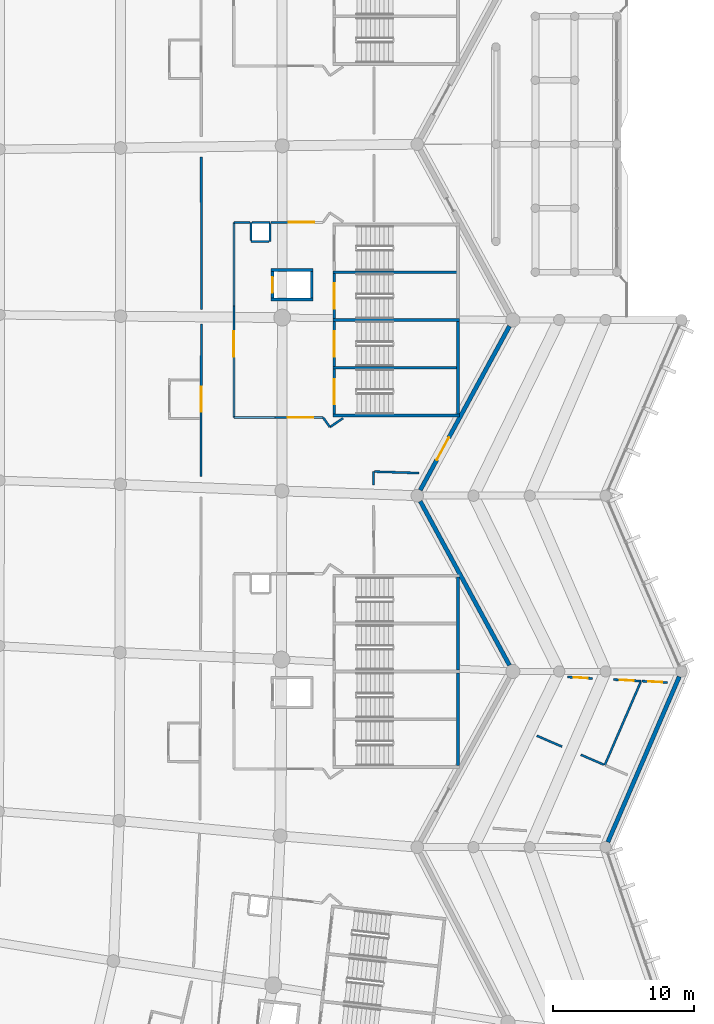
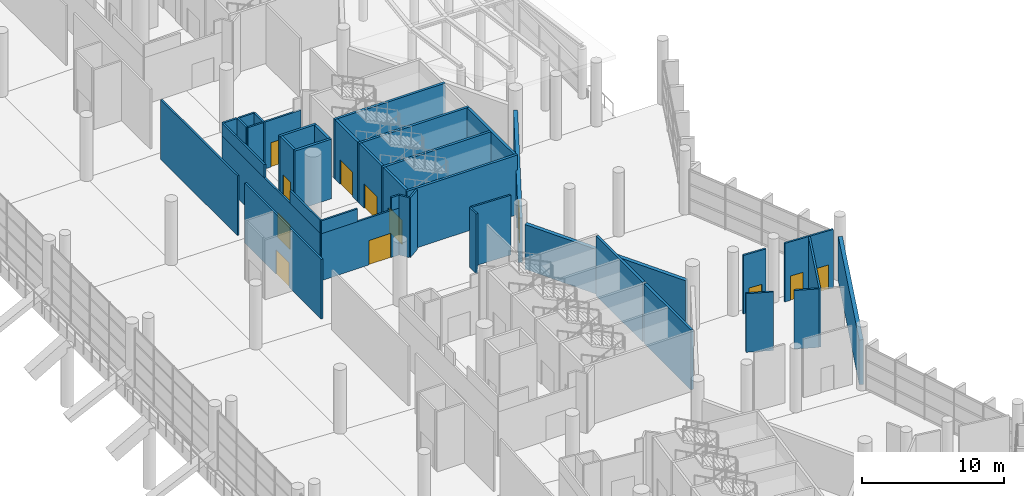
# One storey, part 178 of 271: 41 walls, 12 doors, 12 openings.
"""IFC4 building model written with IfcOpenShell, lengths in metres."""

from ifc_helpers import new_model, si_unit, direction, frame, frame_2d, origin, place, context, subcontext, project, spatial, rectangle, extrude, material, layer, layer_set, type_object, element, fill, save


model = new_model("IFC4")

# Units and contexts
model_context = context("Model", 3, precision=1e-05, world=origin(), true_north=direction((0.0, 1.0)))
body_context = subcontext(model_context, "Body", "Model", "MODEL_VIEW")
ifc_project = project(units=[si_unit("LENGTHUNIT", "METRE"), si_unit("AREAUNIT", "SQUARE_METRE"), si_unit("VOLUMEUNIT", "CUBIC_METRE"), si_unit("PLANEANGLEUNIT", "RADIAN"), si_unit("MASSUNIT", "GRAM", prefix="KILO")], contexts=[model_context])

# Site, building, storey
site_placement = place(None, origin())
site = spatial("IfcSite", under=ifc_project, at=site_placement, CompositionType="ELEMENT")
building_placement = place(site_placement, origin())
building = spatial("IfcBuilding", under=site, at=building_placement, Name="Meseta Stadium", CompositionType="ELEMENT")
storey_placement = place(building_placement, frame((0.0, 0.0, 6.5)))
storey = spatial("IfcBuildingStorey", under=building, at=storey_placement, Name="L01", CompositionType="ELEMENT", Elevation=6.5)

# Walls
ifc_material_1 = material(Name="Concrete C40/50", Category="concrete")
ifc_layer_1 = layer(ifc_material_1, 0.199951171875)
ifc_layer_set_1 = layer_set([ifc_layer_1], Name="Core divider wall 200")
wall_type_1 = type_object("IfcWallType", Name="Core divider wall 200", PredefinedType="SHEAR", material=ifc_layer_set_1)
for number, where, z_axis, x_axis, name in (
    (1, (97.60009765625, -9.64990234375, 0.0), (0.0, 0.0, 1.0), (-1.0, 0.0, 0.0), "Core 03 L01 stair A divider wall"),
    (2, (97.60009765625, -2.85009765625, 0.0), (0.0, 0.0, 1.0), (-1.0, 0.0, 0.0), "Core 03 L01 stair B divider wall"),
):
    element("IfcWall", number, at=place(storey_placement, frame(where, z_axis=z_axis, x_axis=x_axis)), inside=storey, type_object=wall_type_1, Name=name, PredefinedType="SHEAR", context=body_context, shape_type="SweptSolid", body=[
        extrude(rectangle(XDim=9.0, YDim=0.199951171875, at=frame_2d((4.5, 0.0))), origin(), (0.0, 0.0, 1.0), 5.14990234375),
    ])
ifc_material_2 = material(Name="Concrete C40/50", Category="concrete")
ifc_layer_2 = layer(ifc_material_2, 0.199951171875)
ifc_layer_set_2 = layer_set([ifc_layer_2], Name="Core shaft wall 200")
wall_type_2 = type_object("IfcWallType", Name="Core shaft wall 200", PredefinedType="SHEAR", material=ifc_layer_set_2)
for number, where, z_axis, x_axis, name in (
    (3, (97.5, -37.949951171875, 0.0), (0.0, 0.0, 1.0), (0.0, 1.0, 0.0), "Core 02 L01 stair A outer end wall"),
    (4, (97.5, -31.14990234375, 0.0), (0.0, 0.0, 1.0), (0.0, 1.0, 0.0), "Core 02 L01 stair B outer end wall"),
):
    element("IfcWall", number, at=place(storey_placement, frame(where, z_axis=z_axis, x_axis=x_axis)), inside=storey, type_object=wall_type_2, Name=name, PredefinedType="SHEAR", context=body_context, shape_type="SweptSolid", body=[
        extrude(rectangle(XDim=6.599853515625, YDim=0.199951171875, at=frame_2d((3.2998046875, 0.0))), origin(), (0.0, 0.0, 1.0), 5.14990234375),
    ])
for number, where, z_axis, x_axis, name in (
    (5, (97.60009765625, -13.050048828125, 0.0), (0.0, 0.0, 1.0), (-1.0, 0.0, 0.0), "Core 03 L01 stair wall A-side"),
    (6, (97.60009765625, -6.25, 0.0), (0.0, 0.0, 1.0), (-1.0, 0.0, 0.0), "Core 03 L01 stair wall shared"),
):
    element("IfcWall", number, at=place(storey_placement, frame(where, z_axis=z_axis, x_axis=x_axis)), inside=storey, type_object=wall_type_2, Name=name, PredefinedType="SHEAR", context=body_context, shape_type="SweptSolid", body=[
        extrude(rectangle(XDim=9.0, YDim=0.199951171875, at=frame_2d((4.5, 0.0))), origin(), (0.0, 0.0, 1.0), 5.14990234375),
    ])
wall_1_placement = place(storey_placement, frame((97.5, -12.949951171875, 0.0), z_axis=(0.0, 0.0, 1.0), x_axis=(0.0, 1.0, 0.0)))
element("IfcWall", 7, at=wall_1_placement, inside=storey, type_object=wall_type_2, Name="Core 03 L01 stair A outer end wall", PredefinedType="SHEAR", context=body_context, shape_type="SweptSolid", body=[
    extrude(rectangle(XDim=6.599853515625, YDim=0.199951171875, at=frame_2d((3.2998046875, 0.0))), origin(), (0.0, 0.0, 1.0), 5.14990234375),
])

# Wall, opening, door
wall_2_placement = place(storey_placement, frame((88.699951171875, -12.949951171875, 0.0), z_axis=(0.0, 0.0, 1.0), x_axis=(0.0, 1.0, 0.0)))
wall_2 = element("IfcWall", 8, at=wall_2_placement, inside=storey, type_object=wall_type_2, Name="Core 03 L01 stair A1 inner end wall", PredefinedType="SHEAR", context=body_context, shape_type="SweptSolid", body=[
    extrude(rectangle(XDim=3.199951171875, YDim=0.199951171875, at=frame_2d((1.60009765625, 0.0))), origin(), (0.0, 0.0, 1.0), 5.14990234375),
])
opening_1_placement = place(wall_2_placement, frame((0.699951171875, 0.0, 0.0)))
opening_1 = element("IfcOpeningElement", 9, at=opening_1_placement, cuts=wall_2, Name="Opening D063", PredefinedType="OPENING", context=body_context, shape_type="SweptSolid", body=[
    extrude(rectangle(XDim=1.800048828125, YDim=2.10009765625, at=frame_2d((0.89990234375, 1.050048828125))), frame((0.0, 0.10986328125, 0.0), z_axis=(0.0, -1.0, 0.0), x_axis=(1.0, 0.0, 0.0)), (0.0, 0.0, 1.0), 0.219970703125),
])
ifc_material_3 = material(Name="Steel", Category="steel")
door_type_1 = type_object("IfcDoorType", Name="Stair door 1800x2100", OperationType="DOUBLE_DOOR_SINGLE_SWING", PredefinedType="DOOR", material=ifc_material_3)
door_1_placement = place(opening_1_placement, origin())
door_1 = element("IfcDoor", 10, at=door_1_placement, inside=storey, type_object=door_type_1, Name="Stair A1 door 03 L01", OperationType="DOUBLE_DOOR_SINGLE_SWING", OverallHeight=2.10009765625, OverallWidth=1.800048828125, PredefinedType="DOOR", context=body_context, shape_type="SweptSolid", body=[
    extrude(rectangle(XDim=1.800048828125, YDim=2.10009765625, at=frame_2d((0.89990234375, 1.050048828125))), frame((0.0, 0.02490234375, 0.0), z_axis=(0.0, -1.0, 0.0), x_axis=(1.0, 0.0, 0.0)), (0.0, 0.0, 1.0), 0.050048828125),
])
fill(opening_1, door_1)

wall_3_placement = place(storey_placement, frame((88.699951171875, -9.550048828125, 0.0), z_axis=(0.0, 0.0, 1.0), x_axis=(0.0, 1.0, 0.0)))
wall_3 = element("IfcWall", 11, at=wall_3_placement, inside=storey, type_object=wall_type_2, Name="Core 03 L01 stair A2 inner end wall", PredefinedType="SHEAR", context=body_context, shape_type="SweptSolid", body=[
    extrude(rectangle(XDim=3.199951171875, YDim=0.199951171875, at=frame_2d((1.60009765625, 0.0))), origin(), (0.0, 0.0, 1.0), 5.14990234375),
])
opening_2_placement = place(wall_3_placement, frame((0.699951171875, 0.0, 0.0)))
opening_2 = element("IfcOpeningElement", 12, at=opening_2_placement, cuts=wall_3, Name="Opening D064", PredefinedType="OPENING", context=body_context, shape_type="SweptSolid", body=[
    extrude(rectangle(XDim=1.800048828125, YDim=2.10009765625, at=frame_2d((0.89990234375, 1.050048828125))), frame((0.0, 0.10986328125, 0.0), z_axis=(0.0, -1.0, 0.0), x_axis=(1.0, 0.0, 0.0)), (0.0, 0.0, 1.0), 0.219970703125),
])
door_2_placement = place(opening_2_placement, origin())
door_2 = element("IfcDoor", 13, at=door_2_placement, inside=storey, type_object=door_type_1, Name="Stair A2 door 03 L01", OperationType="DOUBLE_DOOR_SINGLE_SWING", OverallHeight=2.10009765625, OverallWidth=1.800048828125, PredefinedType="DOOR", context=body_context, shape_type="SweptSolid", body=[
    extrude(rectangle(XDim=1.800048828125, YDim=2.10009765625, at=frame_2d((0.89990234375, 1.050048828125))), frame((0.0, 0.02490234375, 0.0), z_axis=(0.0, -1.0, 0.0), x_axis=(1.0, 0.0, 0.0)), (0.0, 0.0, 1.0), 0.050048828125),
])
fill(opening_2, door_2)

wall_4_placement = place(storey_placement, frame((88.699951171875, -6.14990234375, 0.0), z_axis=(0.0, 0.0, 1.0), x_axis=(0.0, 1.0, 0.0)))
wall_4 = element("IfcWall", 14, at=wall_4_placement, inside=storey, type_object=wall_type_2, Name="Core 03 L01 stair B1 inner end wall", PredefinedType="SHEAR", context=body_context, shape_type="SweptSolid", body=[
    extrude(rectangle(XDim=3.199951171875, YDim=0.199951171875, at=frame_2d((1.60009765625, 0.0))), origin(), (0.0, 0.0, 1.0), 5.14990234375),
])
opening_3_placement = place(wall_4_placement, frame((0.699951171875, 0.0, 0.0)))
opening_3 = element("IfcOpeningElement", 15, at=opening_3_placement, cuts=wall_4, Name="Opening D065", PredefinedType="OPENING", context=body_context, shape_type="SweptSolid", body=[
    extrude(rectangle(XDim=1.800048828125, YDim=2.10009765625, at=frame_2d((0.89990234375, 1.050048828125))), frame((0.0, 0.10986328125, 0.0), z_axis=(0.0, -1.0, 0.0), x_axis=(1.0, 0.0, 0.0)), (0.0, 0.0, 1.0), 0.219970703125),
])
door_3_placement = place(opening_3_placement, origin())
door_3 = element("IfcDoor", 16, at=door_3_placement, inside=storey, type_object=door_type_1, Name="Stair B1 door 03 L01", OperationType="DOUBLE_DOOR_SINGLE_SWING", OverallHeight=2.10009765625, OverallWidth=1.800048828125, PredefinedType="DOOR", context=body_context, shape_type="SweptSolid", body=[
    extrude(rectangle(XDim=1.800048828125, YDim=2.10009765625, at=frame_2d((0.89990234375, 1.050048828125))), frame((0.0, 0.02490234375, 0.0), z_axis=(0.0, -1.0, 0.0), x_axis=(1.0, 0.0, 0.0)), (0.0, 0.0, 1.0), 0.050048828125),
])
fill(opening_3, door_3)

# Walls
for number, where, z_axis, x_axis, name in (
    (17, (87.199951171875, -4.800048828125, 0.0), (0.0, 0.0, 1.0), (-1.0, 0.0, 0.0), "Core 03 L01 lift shaft wall left"),
    (18, (87.199951171875, -2.699951171875, 0.0), (0.0, 0.0, 1.0), (-1.0, 0.0, 0.0), "Core 03 L01 lift shaft wall right"),
):
    element("IfcWall", number, at=place(storey_placement, frame(where, z_axis=z_axis, x_axis=x_axis)), inside=storey, type_object=wall_type_2, Name=name, PredefinedType="SHEAR", context=body_context, shape_type="SweptSolid", body=[
        extrude(rectangle(XDim=3.0, YDim=0.199951171875, at=frame_2d((1.5, 0.0))), origin(), (0.0, 0.0, 1.0), 5.14990234375),
    ])
wall_5_placement = place(storey_placement, frame((87.10009765625, -4.699951171875, 0.0), z_axis=(0.0, 0.0, 1.0), x_axis=(0.0, 1.0, 0.0)))
element("IfcWall", 19, at=wall_5_placement, inside=storey, type_object=wall_type_2, Name="Core 03 L01 lift shaft back wall", PredefinedType="SHEAR", context=body_context, shape_type="SweptSolid", body=[
    extrude(rectangle(XDim=1.89990234375, YDim=0.199951171875, at=frame_2d((0.949951171875, 0.0))), origin(), (0.0, 0.0, 1.0), 5.14990234375),
])

# Wall, opening, door
wall_6_placement = place(storey_placement, frame((84.300048828125, -4.699951171875, 0.0), z_axis=(0.0, 0.0, 1.0), x_axis=(0.0, 1.0, 0.0)))
wall_6 = element("IfcWall", 20, at=wall_6_placement, inside=storey, type_object=wall_type_2, Name="Core 03 L01 lift shaft front wall", PredefinedType="SHEAR", context=body_context, shape_type="SweptSolid", body=[
    extrude(rectangle(XDim=1.89990234375, YDim=0.199951171875, at=frame_2d((0.949951171875, 0.0))), origin(), (0.0, 0.0, 1.0), 5.14990234375),
])
opening_4_placement = place(wall_6_placement, frame((0.39990234375, 0.0, 0.0)))
opening_4 = element("IfcOpeningElement", 21, at=opening_4_placement, cuts=wall_6, Name="Opening LD15", PredefinedType="OPENING", context=body_context, shape_type="SweptSolid", body=[
    extrude(rectangle(XDim=1.10009765625, YDim=2.10009765625, at=frame_2d((0.550048828125, 1.050048828125))), frame((0.0, 0.10986328125, 0.0), z_axis=(0.0, -1.0, 0.0), x_axis=(1.0, 0.0, 0.0)), (0.0, 0.0, 1.0), 0.219970703125),
])
ifc_material_4 = material(Name="Steel", Category="steel")
door_type_2 = type_object("IfcDoorType", Name="Lift landing door 1100x2100", OperationType="SLIDING_TO_LEFT", PredefinedType="DOOR", material=ifc_material_4)
door_4_placement = place(opening_4_placement, origin())
door_4 = element("IfcDoor", 22, at=door_4_placement, inside=storey, type_object=door_type_2, Name="Lift landing door LD15", OperationType="SLIDING_TO_LEFT", OverallHeight=2.10009765625, OverallWidth=1.10009765625, PredefinedType="DOOR", context=body_context, shape_type="SweptSolid", body=[
    extrude(rectangle(XDim=1.10009765625, YDim=2.10009765625, at=frame_2d((0.550048828125, 1.050048828125))), frame((0.0, 0.02490234375, 0.0), z_axis=(0.0, -1.0, 0.0), x_axis=(1.0, 0.0, 0.0)), (0.0, 0.0, 1.0), 0.050048828125),
])
fill(opening_4, door_4)

ifc_material_5 = material(Name="Masonry blockwork", Category="masonry")
ifc_layer_3 = layer(ifc_material_5, 0.14990234375)
ifc_layer_set_3 = layer_set([ifc_layer_3], Name="Partition 150")
wall_type_3 = type_object("IfcWallType", Name="Partition 150", PredefinedType="PARTITIONING", material=ifc_layer_set_3)
wall_7_placement = place(storey_placement, frame((79.24658203125, -6.53662109375, 0.0), z_axis=(0.0, 0.0, 1.0), x_axis=(-0.002276512155, -0.999997408743, 0.0)))
wall_7 = element("IfcWall", 23, at=wall_7_placement, inside=storey, type_object=wall_type_3, Name="Partition L01 L01-cell01-0-0", PredefinedType="PARTITIONING", context=body_context, shape_type="SweptSolid", body=[
    extrude(rectangle(XDim=10.83154296875, YDim=0.14990234375, at=frame_2d((5.415771484375, 0.0))), origin(), (0.0, 0.0, 1.0), 5.14990234375),
])
opening_5_placement = place(wall_7_placement, frame((4.449951171875, 0.0, 0.0)))
opening_5 = element("IfcOpeningElement", 24, at=opening_5_placement, cuts=wall_7, Name="Opening D640", PredefinedType="OPENING", context=body_context, shape_type="SweptSolid", body=[
    extrude(rectangle(XDim=1.800048828125, YDim=2.10009765625, at=frame_2d((0.89990234375, 1.050048828125))), frame((0.0, 0.0849609375, 0.0), z_axis=(0.0, -1.0, 0.0), x_axis=(1.0, 0.0, 0.0)), (0.0, 0.0, 1.0), 0.169921875),
])
ifc_material_6 = material(Name="Steel", Category="steel")
door_type_3 = type_object("IfcDoorType", Name="Fire double door 1800x2100 EI2 60", OperationType="DOUBLE_DOOR_SINGLE_SWING", PredefinedType="DOOR", material=ifc_material_6)
door_5_placement = place(opening_5_placement, origin())
door_5 = element("IfcDoor", 25, at=door_5_placement, inside=storey, type_object=door_type_3, Name="Door D640", OperationType="DOUBLE_DOOR_SINGLE_SWING", OverallHeight=2.10009765625, OverallWidth=1.800048828125, PredefinedType="DOOR", context=body_context, shape_type="SweptSolid", body=[
    extrude(rectangle(XDim=1.800048828125, YDim=2.10009765625, at=frame_2d((0.89990234375, 1.050048828125))), frame((0.0, 0.02490234375, 0.0), z_axis=(0.0, -1.0, 0.0), x_axis=(1.0, 0.0, 0.0)), (0.0, 0.0, 1.0), 0.050048828125),
])
fill(opening_5, door_5)

# Walls
wall_8_placement = place(storey_placement, frame((91.492919921875, -17.9970703125, 0.0), z_axis=(0.0, 0.0, 1.0), x_axis=(-0.00558225253, 0.999984419107, 0.0)))
element("IfcWall", 26, at=wall_8_placement, inside=storey, type_object=wall_type_3, Name="Partition L01 L01-cell01-2-0w", PredefinedType="PARTITIONING", context=body_context, shape_type="SweptSolid", body=[
    extrude(rectangle(XDim=0.962158203125, YDim=0.14990234375, at=frame_2d((0.48095703125, 0.0))), origin(), (0.0, 0.0, 1.0), 5.14990234375),
])
wall_9_placement = place(storey_placement, frame((91.5625, -17.037353515625, 0.0), z_axis=(0.0, 0.0, 1.0), x_axis=(0.999458119876, -0.032916054045, 0.0)))
element("IfcWall", 27, at=wall_9_placement, inside=storey, type_object=wall_type_3, Name="Partition L01 L01-cell01-2-0w", PredefinedType="PARTITIONING", context=body_context, shape_type="SweptSolid", body=[
    extrude(rectangle(XDim=3.15966796875, YDim=0.14990234375, at=frame_2d((1.579833984375, 0.0))), origin(), (0.0, 0.0, 1.0), 5.14990234375),
])
wall_10_placement = place(storey_placement, frame((79.239013671875, 5.33056640625, 0.0), z_axis=(0.0, 0.0, 1.0), x_axis=(0.0007662833, -0.999999706405, 0.0)))
element("IfcWall", 28, at=wall_10_placement, inside=storey, type_object=wall_type_3, Name="Partition L01 L01-cell02-0-0", PredefinedType="PARTITIONING", context=body_context, shape_type="SweptSolid", body=[
    extrude(rectangle(XDim=10.83251953125, YDim=0.14990234375, at=frame_2d((5.416259765625, 0.0))), origin(), (0.0, 0.0, 1.0), 5.14990234375),
])

# Wall, opening, door
wall_11_placement = place(storey_placement, frame((105.28564453125, -31.6494140625, 0.0), z_axis=(0.0, 0.0, 1.0), x_axis=(0.998502458587, -0.054706856933, 0.0)))
wall_11 = element("IfcWall", 29, at=wall_11_placement, inside=storey, type_object=wall_type_3, Name="Partition L01 L01-ring00-0a", PredefinedType="PARTITIONING", context=body_context, shape_type="SweptSolid", body=[
    extrude(rectangle(XDim=1.78955078125, YDim=0.14990234375, at=frame_2d((0.894775390625, 0.0))), origin(), (0.0, 0.0, 1.0), 5.050048828125),
])
opening_6_placement = place(wall_11_placement, frame((0.449951171875, 0.0, 0.0)))
opening_6 = element("IfcOpeningElement", 30, at=opening_6_placement, cuts=wall_11, Name="Opening D679", PredefinedType="OPENING", context=body_context, shape_type="SweptSolid", body=[
    extrude(rectangle(XDim=1.0, YDim=2.10009765625, at=frame_2d((0.5, 1.050048828125))), frame((0.0, 0.0849609375, 0.0), z_axis=(0.0, -1.0, 0.0), x_axis=(1.0, 0.0, 0.0)), (0.0, 0.0, 1.0), 0.169921875),
])
ifc_material_7 = material(Name="Timber", Category="wood")
door_type_4 = type_object("IfcDoorType", Name="Room door 1000x2100", OperationType="NOTDEFINED", PredefinedType="DOOR", material=ifc_material_7)
door_6_placement = place(opening_6_placement, origin())
door_6 = element("IfcDoor", 31, at=door_6_placement, inside=storey, type_object=door_type_4, Name="Door D679", OperationType="SINGLE_SWING_RIGHT", OverallHeight=2.10009765625, OverallWidth=1.0, PredefinedType="DOOR", context=body_context, shape_type="SweptSolid", body=[
    extrude(rectangle(XDim=1.0, YDim=2.10009765625, at=frame_2d((0.5, 1.050048828125))), frame((0.0, 0.02490234375, 0.0), z_axis=(0.0, -1.0, 0.0), x_axis=(1.0, 0.0, 0.0)), (0.0, 0.0, 1.0), 0.050048828125),
])
fill(opening_6, door_6)

# Wall
wall_12_placement = place(storey_placement, frame((104.9013671875, -36.599853515625, 0.0), z_axis=(0.0, 0.0, 1.0), x_axis=(-0.918023068361, 0.396526980113, 0.0)))
element("IfcWall", 32, at=wall_12_placement, inside=storey, type_object=wall_type_3, Name="Partition L01 L01-ring00-0a", PredefinedType="PARTITIONING", context=body_context, shape_type="SweptSolid", body=[
    extrude(rectangle(XDim=1.95361328125, YDim=0.14990234375, at=frame_2d((0.976806640625, 0.0))), origin(), (0.0, 0.0, 1.0), 5.050048828125),
])

# Wall, opening, door
wall_13_placement = place(storey_placement, frame((108.552978515625, -31.82861328125, 0.0), z_axis=(0.0, 0.0, 1.0), x_axis=(0.998500483488, -0.054742894282, 0.0)))
wall_13 = element("IfcWall", 33, at=wall_13_placement, inside=storey, type_object=wall_type_3, Name="Partition L01 L01-ring00-0b1", PredefinedType="PARTITIONING", context=body_context, shape_type="SweptSolid", body=[
    extrude(rectangle(XDim=1.97119140625, YDim=0.14990234375, at=frame_2d((0.985595703125, 0.0))), origin(), (0.0, 0.0, 1.0), 5.050048828125),
])
opening_7_placement = place(wall_13_placement, frame((0.449951171875, 0.0, 0.0)))
opening_7 = element("IfcOpeningElement", 34, at=opening_7_placement, cuts=wall_13, Name="Opening D680", PredefinedType="OPENING", context=body_context, shape_type="SweptSolid", body=[
    extrude(rectangle(XDim=1.0, YDim=2.10009765625, at=frame_2d((0.5, 1.050048828125))), frame((0.0, 0.0849609375, 0.0), z_axis=(0.0, -1.0, 0.0), x_axis=(1.0, 0.0, 0.0)), (0.0, 0.0, 1.0), 0.169921875),
])
door_7_placement = place(opening_7_placement, origin())
door_7 = element("IfcDoor", 35, at=door_7_placement, inside=storey, type_object=door_type_4, Name="Door D680", OperationType="SINGLE_SWING_RIGHT", OverallHeight=2.10009765625, OverallWidth=1.0, PredefinedType="DOOR", context=body_context, shape_type="SweptSolid", body=[
    extrude(rectangle(XDim=1.0, YDim=2.10009765625, at=frame_2d((0.5, 1.050048828125))), frame((0.0, 0.02490234375, 0.0), z_axis=(0.0, -1.0, 0.0), x_axis=(1.0, 0.0, 0.0)), (0.0, 0.0, 1.0), 0.050048828125),
])
fill(opening_7, door_7)

# Walls
wall_14_placement = place(storey_placement, frame((110.489501953125, -32.009765625, 0.0), z_axis=(0.0, 0.0, 1.0), x_axis=(-0.396561841895, -0.918008009526, 0.0)))
element("IfcWall", 36, at=wall_14_placement, inside=storey, type_object=wall_type_3, Name="Partition L01 L01-ring00-0b1", PredefinedType="PARTITIONING", context=body_context, shape_type="SweptSolid", body=[
    extrude(rectangle(XDim=6.4296875, YDim=0.14990234375, at=frame_2d((3.21484375, 0.0))), origin(), (0.0, 0.0, 1.0), 5.050048828125),
])
wall_15_placement = place(storey_placement, frame((107.870849609375, -37.8828125, 0.0), z_axis=(0.0, 0.0, 1.0), x_axis=(-0.917965489949, 0.396660256722, 0.0)))
element("IfcWall", 37, at=wall_15_placement, inside=storey, type_object=wall_type_3, Name="Partition L01 L01-ring00-0b1", PredefinedType="PARTITIONING", context=body_context, shape_type="SweptSolid", body=[
    extrude(rectangle(XDim=1.772705078125, YDim=0.14990234375, at=frame_2d((0.88623046875, 0.0))), origin(), (0.0, 0.0, 1.0), 5.050048828125),
])

# Wall, opening, door
wall_16_placement = place(storey_placement, frame((110.5712890625, -31.939208984375, 0.0), z_axis=(0.0, 0.0, 1.0), x_axis=(0.998499338423, -0.054763776055, 0.0)))
wall_16 = element("IfcWall", 38, at=wall_16_placement, inside=storey, type_object=wall_type_3, Name="Partition L01 L01-ring00-0b2", PredefinedType="PARTITIONING", context=body_context, shape_type="SweptSolid", body=[
    extrude(rectangle(XDim=1.81884765625, YDim=0.14990234375, at=frame_2d((0.909423828125, 0.0))), origin(), (0.0, 0.0, 1.0), 5.050048828125),
])
opening_8_placement = place(wall_16_placement, frame((0.449951171875, 0.0, 0.0)))
opening_8 = element("IfcOpeningElement", 39, at=opening_8_placement, cuts=wall_16, Name="Opening D681", PredefinedType="OPENING", context=body_context, shape_type="SweptSolid", body=[
    extrude(rectangle(XDim=1.0, YDim=2.10009765625, at=frame_2d((0.5, 1.050048828125))), frame((0.0, 0.0849609375, 0.0), z_axis=(0.0, -1.0, 0.0), x_axis=(1.0, 0.0, 0.0)), (0.0, 0.0, 1.0), 0.169921875),
])
door_8_placement = place(opening_8_placement, origin())
door_8 = element("IfcDoor", 40, at=door_8_placement, inside=storey, type_object=door_type_4, Name="Door D681", OperationType="SINGLE_SWING_LEFT", OverallHeight=2.10009765625, OverallWidth=1.0, PredefinedType="DOOR", context=body_context, shape_type="SweptSolid", body=[
    extrude(rectangle(XDim=1.0, YDim=2.10009765625, at=frame_2d((0.5, 1.050048828125))), frame((0.0, 0.02490234375, 0.0), z_axis=(0.0, -1.0, 0.0), x_axis=(1.0, 0.0, 0.0)), (0.0, 0.0, 1.0), 0.050048828125),
])
fill(opening_8, door_8)

# Walls
wall_17_placement = place(storey_placement, frame((84.125, -0.675048828125, 0.0), z_axis=(0.0, 0.0, 1.0), x_axis=(0.0, 1.0, 0.0)))
element("IfcWall", 41, at=wall_17_placement, inside=storey, type_object=wall_type_3, Name="Pressurisation shaft wall L01 core 03", PredefinedType="PARTITIONING", context=body_context, shape_type="SweptSolid", body=[
    extrude(rectangle(XDim=1.275146484375, YDim=0.14990234375, at=frame_2d((0.6376953125, 0.0))), origin(), (0.0, 0.0, 1.0), 5.14990234375),
])
wall_18_placement = place(storey_placement, frame((84.125, 0.675048828125, 0.0), z_axis=(0.0, 0.0, 1.0), x_axis=(-1.0, 0.0, 0.0)))
element("IfcWall", 42, at=wall_18_placement, inside=storey, type_object=wall_type_3, Name="Pressurisation shaft wall L01 core 03", PredefinedType="PARTITIONING", context=body_context, shape_type="SweptSolid", body=[
    extrude(rectangle(XDim=1.27490234375, YDim=0.14990234375, at=frame_2d((0.637451171875, 0.0))), origin(), (0.0, 0.0, 1.0), 5.14990234375),
])
for number, where, z_axis, x_axis, name in (
    (43, (82.77490234375, 0.675048828125, 0.0), (0.0, 0.0, 1.0), (0.0, -1.0, 0.0), "Pressurisation shaft wall L01 core 03"),
    (44, (82.77490234375, -0.675048828125, 0.0), (0.0, 0.0, 1.0), (1.0, 0.0, 0.0), "Pressurisation shaft wall L01 core 03"),
):
    element("IfcWall", number, at=place(storey_placement, frame(where, z_axis=z_axis, x_axis=x_axis)), inside=storey, type_object=wall_type_3, Name=name, PredefinedType="PARTITIONING", context=body_context, shape_type="SweptSolid", body=[
        extrude(rectangle(XDim=1.275146484375, YDim=0.14990234375, at=frame_2d((0.6376953125, 0.0))), origin(), (0.0, 0.0, 1.0), 5.14990234375),
    ])
wall_19_placement = place(storey_placement, frame((82.68994140625, 0.695068359375, 0.0), z_axis=(0.0, 0.0, 1.0), x_axis=(-1.0, 0.0, 0.0)))
element("IfcWall", 45, at=wall_19_placement, inside=storey, type_object=wall_type_3, Name="Stair vestibule wall L01 core 03", PredefinedType="PARTITIONING", context=body_context, shape_type="SweptSolid", body=[
    extrude(rectangle(XDim=1.135009765625, YDim=0.14990234375, at=frame_2d((0.5673828125, 0.0))), origin(), (0.0, 0.0, 1.0), 5.14990234375),
])

# Wall, opening, door
wall_20_placement = place(storey_placement, frame((81.554931640625, 0.695068359375, 0.0), z_axis=(0.0, 0.0, 1.0), x_axis=(0.0, -1.0, 0.0)))
wall_20 = element("IfcWall", 46, at=wall_20_placement, inside=storey, type_object=wall_type_3, Name="Stair vestibule wall L01 core 03", PredefinedType="PARTITIONING", context=body_context, shape_type="SweptSolid", body=[
    extrude(rectangle(XDim=13.89013671875, YDim=0.14990234375, at=frame_2d((6.945068359375, 0.0))), origin(), (0.0, 0.0, 1.0), 4.050048828125),
])
opening_9_placement = place(wall_20_placement, frame((7.75, 0.0, 0.0)))
opening_9 = element("IfcOpeningElement", 47, at=opening_9_placement, cuts=wall_20, Name="Opening D750", PredefinedType="OPENING", context=body_context, shape_type="SweptSolid", body=[
    extrude(rectangle(XDim=1.800048828125, YDim=2.10009765625, at=frame_2d((0.89990234375, 1.050048828125))), frame((0.0, 0.0849609375, 0.0), z_axis=(0.0, -1.0, 0.0), x_axis=(1.0, 0.0, 0.0)), (0.0, 0.0, 1.0), 0.169921875),
])
door_9_placement = place(opening_9_placement, origin())
door_9 = element("IfcDoor", 48, at=door_9_placement, inside=storey, type_object=door_type_3, Name="Stair vestibule door L01 core 03", OperationType="DOUBLE_DOOR_SINGLE_SWING", OverallHeight=2.10009765625, OverallWidth=1.800048828125, PredefinedType="DOOR", context=body_context, shape_type="SweptSolid", body=[
    extrude(rectangle(XDim=1.800048828125, YDim=2.10009765625, at=frame_2d((0.89990234375, 1.050048828125))), frame((0.0, 0.02490234375, 0.0), z_axis=(0.0, -1.0, 0.0), x_axis=(1.0, 0.0, 0.0)), (0.0, 0.0, 1.0), 0.050048828125),
])
fill(opening_9, door_9)

# Walls
wall_21_placement = place(storey_placement, frame((81.554931640625, 0.695068359375, 4.050048828125), z_axis=(0.0, 0.0, 1.0), x_axis=(0.0, -1.0, 0.0)))
element("IfcWall", 49, at=wall_21_placement, inside=storey, type_object=wall_type_3, Name="Stair vestibule wall L01 core 03", PredefinedType="PARTITIONING", context=body_context, shape_type="SweptSolid", body=[
    extrude(rectangle(XDim=5.952880859375, YDim=0.14990234375, at=frame_2d((2.9765625, 0.0))), origin(), (0.0, 0.0, 1.0), 1.099853515625),
])
wall_22_placement = place(storey_placement, frame((81.554931640625, -8.905029296875, 4.050048828125), z_axis=(0.0, 0.0, 1.0), x_axis=(0.0, -1.0, 0.0)))
element("IfcWall", 50, at=wall_22_placement, inside=storey, type_object=wall_type_3, Name="Stair vestibule wall L01 core 03", PredefinedType="PARTITIONING", context=body_context, shape_type="SweptSolid", body=[
    extrude(rectangle(XDim=4.2900390625, YDim=0.14990234375, at=frame_2d((2.14501953125, 0.0))), origin(), (0.0, 0.0, 1.0), 1.099853515625),
])

# Wall, opening, door
wall_23_placement = place(storey_placement, frame((81.554931640625, -13.195068359375, 0.0), z_axis=(0.0, 0.0, 1.0), x_axis=(0.999999999262, -3.8421639e-05, 0.0)))
wall_23 = element("IfcWall", 51, at=wall_23_placement, inside=storey, type_object=wall_type_3, Name="Stair vestibule wall L01 core 03", PredefinedType="PARTITIONING", context=body_context, shape_type="SweptSolid", body=[
    extrude(rectangle(XDim=6.354248046875, YDim=0.14990234375, at=frame_2d((3.17724609375, 0.0))), origin(), (0.0, 0.0, 1.0), 4.050048828125),
])
opening_10_placement = place(wall_23_placement, frame((3.85009765625, 0.0, 0.0)))
opening_10 = element("IfcOpeningElement", 52, at=opening_10_placement, cuts=wall_23, Name="Opening D752", PredefinedType="OPENING", context=body_context, shape_type="SweptSolid", body=[
    extrude(rectangle(XDim=1.800048828125, YDim=2.10009765625, at=frame_2d((0.89990234375, 1.050048828125))), frame((0.0, 0.0849609375, 0.0), z_axis=(0.0, -1.0, 0.0), x_axis=(1.0, 0.0, 0.0)), (0.0, 0.0, 1.0), 0.169921875),
])
door_10_placement = place(opening_10_placement, origin())
door_10 = element("IfcDoor", 53, at=door_10_placement, inside=storey, type_object=door_type_3, Name="Stair vestibule door L01 core 03", OperationType="DOUBLE_DOOR_SINGLE_SWING", OverallHeight=2.10009765625, OverallWidth=1.800048828125, PredefinedType="DOOR", context=body_context, shape_type="SweptSolid", body=[
    extrude(rectangle(XDim=1.800048828125, YDim=2.10009765625, at=frame_2d((0.89990234375, 1.050048828125))), frame((0.0, 0.02490234375, 0.0), z_axis=(0.0, -1.0, 0.0), x_axis=(1.0, 0.0, 0.0)), (0.0, 0.0, 1.0), 0.050048828125),
])
fill(opening_10, door_10)

# Walls
wall_24_placement = place(storey_placement, frame((81.554931640625, -13.195068359375, 4.050048828125), z_axis=(0.0, 0.0, 1.0), x_axis=(1.0, 0.0, 0.0)))
element("IfcWall", 54, at=wall_24_placement, inside=storey, type_object=wall_type_3, Name="Stair vestibule wall L01 core 03", PredefinedType="PARTITIONING", context=body_context, shape_type="SweptSolid", body=[
    extrude(rectangle(XDim=2.932861328125, YDim=0.14990234375, at=frame_2d((1.46630859375, 0.0))), origin(), (0.0, 0.0, 1.0), 1.099853515625),
])
wall_25_placement = place(storey_placement, frame((87.2548828125, -13.1953125, 4.050048828125), z_axis=(0.0, 0.0, 1.0), x_axis=(1.0, 0.0, 0.0)))
element("IfcWall", 55, at=wall_25_placement, inside=storey, type_object=wall_type_3, Name="Stair vestibule wall L01 core 03", PredefinedType="PARTITIONING", context=body_context, shape_type="SweptSolid", body=[
    extrude(rectangle(XDim=0.654296875, YDim=0.14990234375, at=frame_2d((0.3271484375, 0.0))), origin(), (0.0, 0.0, 1.0), 1.099853515625),
])
wall_26_placement = place(storey_placement, frame((87.9091796875, -13.1953125, 0.0), z_axis=(0.0, 0.0, 1.0), x_axis=(0.576359888906, -0.817195985342, 0.0)))
element("IfcWall", 56, at=wall_26_placement, inside=storey, type_object=wall_type_3, Name="Stair vestibule wall L01 core 03", PredefinedType="PARTITIONING", context=body_context, shape_type="SweptSolid", body=[
    extrude(rectangle(XDim=0.830322265625, YDim=0.14990234375, at=frame_2d((0.4150390625, 0.0))), origin(), (0.0, 0.0, 1.0), 5.14990234375),
])
wall_27_placement = place(storey_placement, frame((88.3876953125, -13.873779296875, 0.0), z_axis=(0.0, 0.0, 1.0), x_axis=(0.826749248939, 0.562570599462, 0.0)))
element("IfcWall", 57, at=wall_27_placement, inside=storey, type_object=wall_type_3, Name="Stair vestibule wall L01 core 03", PredefinedType="PARTITIONING", context=body_context, shape_type="SweptSolid", body=[
    extrude(rectangle(XDim=1.12744140625, YDim=0.14990234375, at=frame_2d((0.563720703125, 0.0))), origin(), (0.0, 0.0, 1.0), 5.14990234375),
])

# Wall, opening, door
wall_28_placement = place(storey_placement, frame((87.909423828125, 0.6953125, 0.0), z_axis=(0.0, 0.0, 1.0), x_axis=(-0.999999997827, -6.5919578e-05, 0.0)))
wall_28 = element("IfcWall", 58, at=wall_28_placement, inside=storey, type_object=wall_type_3, Name="Stair vestibule wall L01 core 03", PredefinedType="PARTITIONING", context=body_context, shape_type="SweptSolid", body=[
    extrude(rectangle(XDim=3.70361328125, YDim=0.14990234375, at=frame_2d((1.851806640625, 0.0))), origin(), (0.0, 0.0, 1.0), 4.050048828125),
])
opening_11_placement = place(wall_28_placement, frame((0.64990234375, 0.0, 0.0)))
opening_11 = element("IfcOpeningElement", 59, at=opening_11_placement, cuts=wall_28, Name="Opening D751", PredefinedType="OPENING", context=body_context, shape_type="SweptSolid", body=[
    extrude(rectangle(XDim=1.800048828125, YDim=2.10009765625, at=frame_2d((0.89990234375, 1.050048828125))), frame((0.0, 0.0849609375, 0.0), z_axis=(0.0, -1.0, 0.0), x_axis=(1.0, 0.0, 0.0)), (0.0, 0.0, 1.0), 0.169921875),
])
door_11_placement = place(opening_11_placement, origin())
door_11 = element("IfcDoor", 60, at=door_11_placement, inside=storey, type_object=door_type_3, Name="Stair vestibule door L01 core 03", OperationType="DOUBLE_DOOR_SINGLE_SWING", OverallHeight=2.10009765625, OverallWidth=1.800048828125, PredefinedType="DOOR", context=body_context, shape_type="SweptSolid", body=[
    extrude(rectangle(XDim=1.800048828125, YDim=2.10009765625, at=frame_2d((0.89990234375, 1.050048828125))), frame((0.0, 0.02490234375, 0.0), z_axis=(0.0, -1.0, 0.0), x_axis=(1.0, 0.0, 0.0)), (0.0, 0.0, 1.0), 0.050048828125),
])
fill(opening_11, door_11)

# Wall
ifc_material_8 = material(Name="White precast concrete C40/50", Category="concrete")
ifc_layer_4 = layer(ifc_material_8, 0.300048828125)
ifc_layer_set_4 = layer_set([ifc_layer_4], Name="Pleated panel wall 300 concourse")
wall_type_4 = type_object("IfcWallType", Name="Pleated panel wall 300 concourse", PredefinedType="SOLIDWALL", material=ifc_layer_set_4)
wall_29_placement = place(storey_placement, frame((94.81494140625, -19.145263671875, 0.0), z_axis=(0.0, 0.0, 1.0), x_axis=(0.477867771117, -0.878431780691, 0.0)))
element("IfcWall", 61, at=wall_29_placement, inside=storey, type_object=wall_type_4, Name="Pleated facade panel L01 F02", PredefinedType="SOLIDWALL", context=body_context, shape_type="SweptSolid", body=[
    extrude(rectangle(XDim=13.2802734375, YDim=0.300048828125, at=frame_2d((6.64013671875, 0.0))), origin(), (0.0, 0.0, 1.0), 3.85009765625),
])

# Wall, opening, door
wall_30_placement = place(storey_placement, frame((101.1611328125, -6.68896484375, 0.0), z_axis=(0.0, 0.0, 1.0), x_axis=(-0.477867771117, -0.878431780691, 0.0)))
wall_30 = element("IfcWall", 62, at=wall_30_placement, inside=storey, type_object=wall_type_4, Name="Pleated facade panel L01 F03", PredefinedType="SOLIDWALL", context=body_context, shape_type="SweptSolid", body=[
    extrude(rectangle(XDim=13.2802734375, YDim=0.300048828125, at=frame_2d((6.64013671875, 0.0))), origin(), (0.0, 0.0, 1.0), 3.85009765625),
])
opening_12_placement = place(wall_30_placement, frame((9.030029296875, 0.0, 0.0)))
opening_12 = element("IfcOpeningElement", 63, at=opening_12_placement, cuts=wall_30, Name="Opening D982", PredefinedType="OPENING", context=body_context, shape_type="SweptSolid", body=[
    extrude(rectangle(XDim=1.800048828125, YDim=2.39990234375, at=frame_2d((0.89990234375, 1.199951171875))), frame((0.0, 0.159912109375, 0.0), z_axis=(0.0, -1.0, 0.0), x_axis=(1.0, 0.0, 0.0)), (0.0, 0.0, 1.0), 0.320068359375),
])
ifc_material_9 = material(Name="Steel", Category="steel")
door_type_5 = type_object("IfcDoorType", Name="Concourse double door 1800x2400", OperationType="DOUBLE_DOOR_SINGLE_SWING", PredefinedType="DOOR", material=ifc_material_9)
door_12_placement = place(opening_12_placement, origin())
door_12 = element("IfcDoor", 64, at=door_12_placement, inside=storey, type_object=door_type_5, Name="Concourse door", OperationType="DOUBLE_DOOR_SINGLE_SWING", OverallHeight=2.39990234375, OverallWidth=1.800048828125, PredefinedType="DOOR", context=body_context, shape_type="SweptSolid", body=[
    extrude(rectangle(XDim=1.800048828125, YDim=2.39990234375, at=frame_2d((0.89990234375, 1.199951171875))), frame((0.0, 0.02490234375, 0.0), z_axis=(0.0, -1.0, 0.0), x_axis=(1.0, 0.0, 0.0)), (0.0, 0.0, 1.0), 0.050048828125),
])
fill(opening_12, door_12)

# Wall
ifc_material_10 = material(Name="Precast concrete C40/50", Category="concrete")
ifc_layer_5 = layer(ifc_material_10, 0.300048828125)
ifc_layer_set_5 = layer_set([ifc_layer_5], Name="Ring facade panel wall 300")
wall_type_5 = type_object("IfcWallType", Name="Ring facade panel wall 300", PredefinedType="SOLIDWALL", material=ifc_layer_set_5)
wall_31_placement = place(storey_placement, frame((113.241455078125, -31.6171875, 0.0), z_axis=(0.0, 0.0, 1.0), x_axis=(-0.396577588261, -0.918001207237, 0.0)))
element("IfcWall", 65, at=wall_31_placement, inside=storey, type_object=wall_type_5, Name="Ring plant panel wall L01 F01", PredefinedType="SOLIDWALL", context=body_context, shape_type="SweptSolid", body=[
    extrude(rectangle(XDim=12.816650390625, YDim=0.300048828125, at=frame_2d((6.408203125, 0.0))), origin(), (0.0, 0.0, 1.0), 3.85009765625),
])

save(model, "model.ifc")
